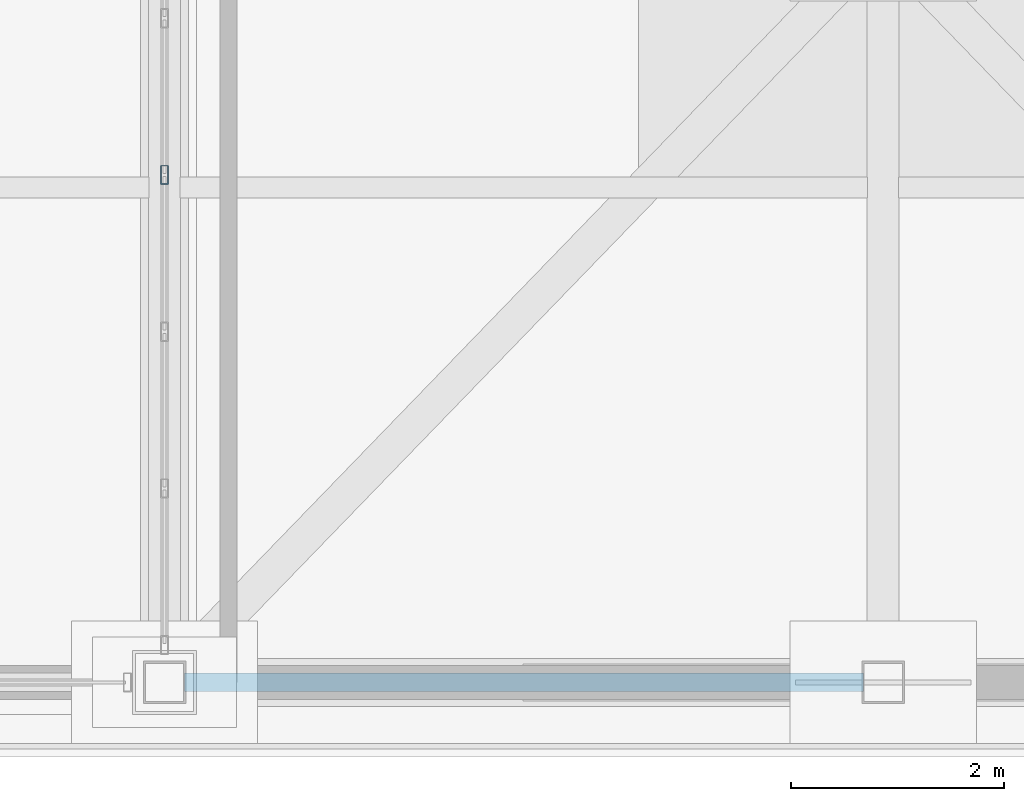
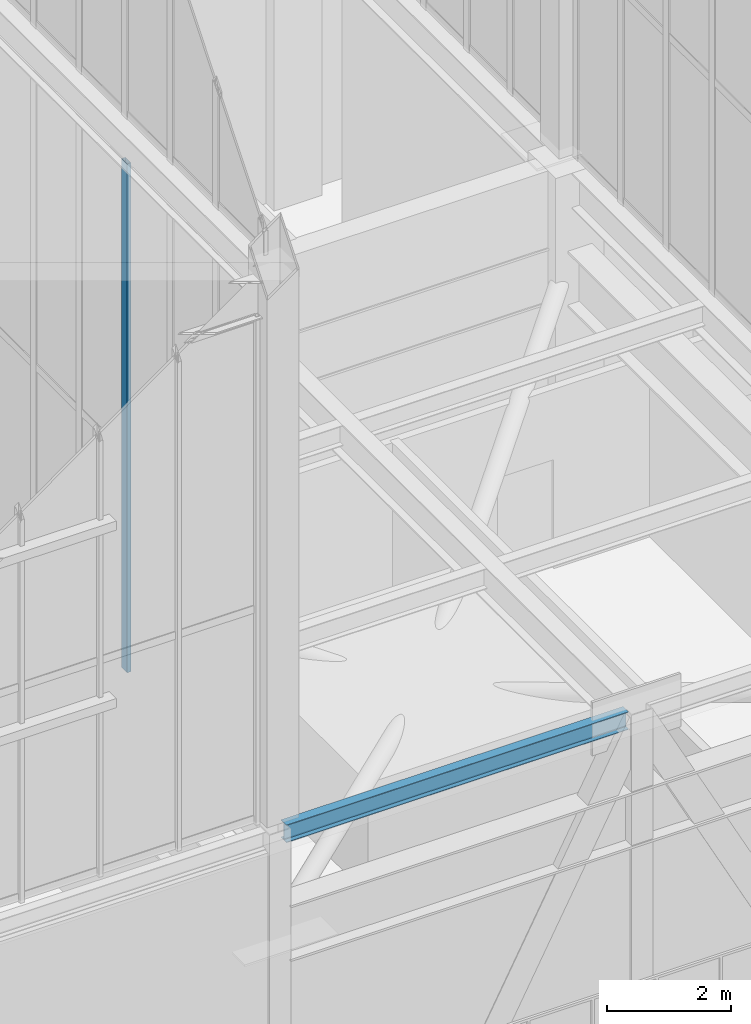
# One storey, part 12 of 135: 1 beam, 1 member, 1 element without a shape of its own.
"""IFC4 building model written with IfcOpenShell, lengths in metres."""

from ifc_helpers import new_model, si_unit, direction, frame, origin, origin_2d, place, context, subcontext, project, spatial, hollow_rectangle, i_section, extrude, source, transform, mapped, material, layer, layer_set, material_profile, profile_set, type_object, element, aggregate, save


model = new_model("IFC4")

# Units and contexts
model_context = context("Model", 3, precision=1e-05, world=origin(), true_north=direction((0.0, 1.0)))
body_context = subcontext(model_context, "Body", "Model", "MODEL_VIEW")
ifc_project = project(units=[si_unit("LENGTHUNIT", "METRE"), si_unit("AREAUNIT", "SQUARE_METRE"), si_unit("VOLUMEUNIT", "CUBIC_METRE"), si_unit("PLANEANGLEUNIT", "RADIAN"), si_unit("MASSUNIT", "GRAM", prefix="KILO")], contexts=[model_context])

# Site, building, storey
site_placement = place(None, origin())
site = spatial("IfcSite", under=ifc_project, at=site_placement, CompositionType="ELEMENT")
building_placement = place(site_placement, origin())
building = spatial("IfcBuilding", under=site, at=building_placement, Name="Giltprow Tower", CompositionType="ELEMENT")
storey_placement = place(building_placement, frame((0.0, 0.0, 352.699951171875)))
storey = spatial("IfcBuildingStorey", under=building, at=storey_placement, Name="L92", CompositionType="ELEMENT", Elevation=352.699951171875)

# Beam
ifc_material_1 = material(Name="Structural steel Q355B", Category="steel")
ifc_material_profile_1 = material_profile(ifc_material_1, i_section(OverallWidth=0.175048828125, OverallDepth=0.35009765625, WebThickness=0.007080078125, FlangeThickness=0.010986328125, at=origin_2d()), Name="HN 350x175x7x11")
ifc_profile_set_1 = profile_set([ifc_material_profile_1], Name="Structural steel Q355B")
beam_type = type_object("IfcBeamType", Name="BM-SPAN-HN350", PredefinedType="SPANDREL", material=ifc_profile_set_1)
shared_shape_1 = source(origin(), body_context, "Body", "SweptSolid", [
    extrude(i_section(OverallWidth=0.175048828125, OverallDepth=0.35009765625, WebThickness=0.007080078125, FlangeThickness=0.010986328125, at=origin_2d()), origin(), (0.0, 0.0, 1.0), 6.3798828125),
])
beam_placement = place(storey_placement, frame((30.985107421875, 23.5, 5.985107421875), z_axis=(1.0, 0.0, 0.0), x_axis=(0.0, 1.0, 0.0)))
element("IfcBeam", 1, at=beam_placement, inside=storey, type_object=beam_type, Name="L92 Perimeter Spandrel Beam S2-S_MID", PredefinedType="SPANDREL", context=body_context, shape_type="MappedRepresentation", body=[
    mapped(shared_shape_1, transform((0.0, 0.0, 0.0), x_axis=(1.0, 0.0, 0.0), y_axis=(0.0, 1.0, 0.0), z_axis=(0.0, 0.0, 1.0), scale=1.0)),
])

# Curtain wall, member
ifc_material_2 = material(Name="Anodized bronze", Category="metal")
ifc_layer = layer(ifc_material_2, 0.179931640625, Name="Anodized bronze")
ifc_layer_set = layer_set([ifc_layer], Name="Anodized bronze")
curtain_wall_type = type_object("IfcCurtainWallType", Name="CW-CROWN-LANTERN", PredefinedType="NOTDEFINED", material=ifc_layer_set)
curtain_wall_placement = place(storey_placement, origin())
curtain_wall = element("IfcCurtainWall", 2, at=curtain_wall_placement, inside=storey, type_object=curtain_wall_type, Name="Crown West Lower Lantern Glazing 2", PredefinedType="NOTDEFINED")
ifc_material_profile_2 = material_profile(ifc_material_2, hollow_rectangle(XDim=0.074951171875, YDim=0.179931640625, WallThickness=0.008056640625, at=origin_2d()), Name="RHS 180x75x8")
ifc_profile_set_2 = profile_set([ifc_material_profile_2], Name="Anodized bronze")
member_type = type_object("IfcMemberType", Name="CW-MULLION-180x75", PredefinedType="MULLION", material=ifc_profile_set_2)
shared_shape_2 = source(origin(), body_context, "Body", "SweptSolid", [
    extrude(hollow_rectangle(XDim=0.074951171875, YDim=0.179931640625, WallThickness=0.008056640625, at=origin_2d()), origin(), (0.0, 0.0, 1.0), 10.030029296875),
])
member_placement = place(storey_placement, frame((30.800048828125, 28.26708984375, 6.35009765625), z_axis=(0.0, 0.0, 1.0), x_axis=(1.0, 0.0, 0.0)))
member = element("IfcMember", 3, at=member_placement, type_object=member_type, Name="Crown West Lower Lantern Glazing 2 Mullion 4", PredefinedType="MULLION", context=body_context, shape_type="MappedRepresentation", body=[
    mapped(shared_shape_2, transform((0.0, 0.0, 0.0), x_axis=(1.0, 0.0, 0.0), y_axis=(0.0, 1.0, 0.0), z_axis=(0.0, 0.0, 1.0), scale=1.0)),
])
aggregate(curtain_wall, [member])

save(model, "model.ifc")
